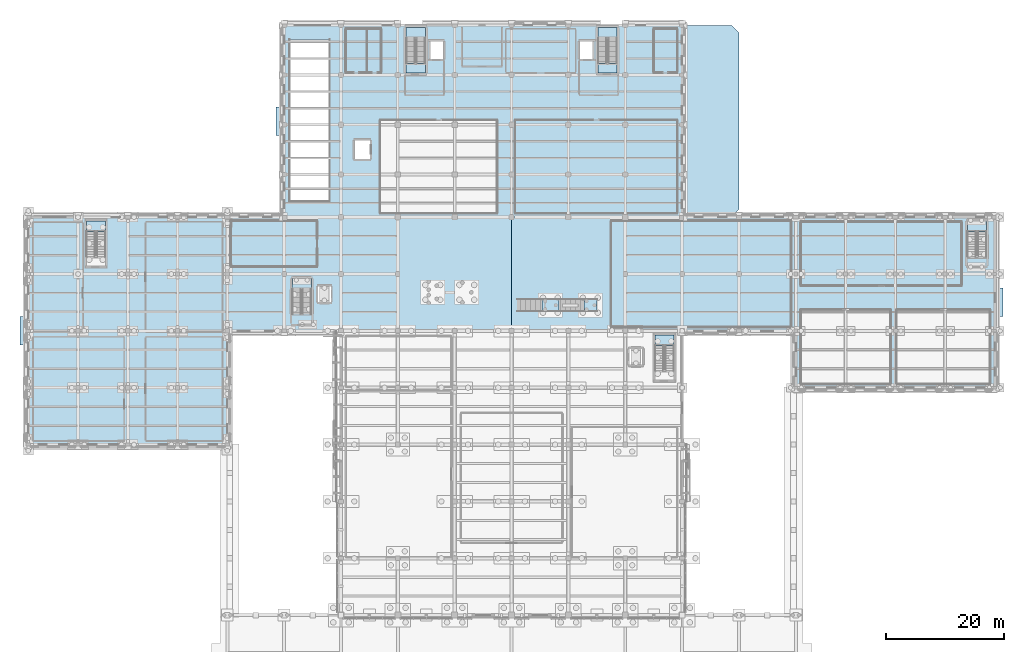
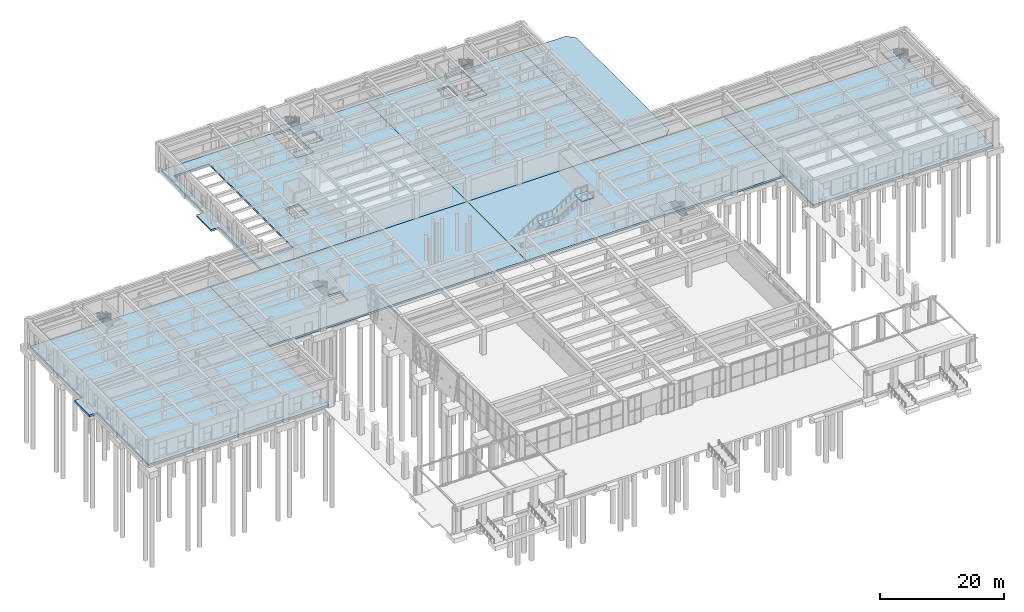
# One storey, part 27 of 51: 17 slabs, 7 elements without a shape of their own.
"""IFC4 building model written with IfcOpenShell, lengths in metres."""

from ifc_helpers import new_model, si_unit, direction, frame, origin, place, context, subcontext, project, spatial, polyline, outline, extrude, material, layer, layer_set, type_object, element, aggregate, save


model = new_model("IFC4")

# Units and contexts
model_context = context("Model", 3, precision=1e-05, world=origin(), true_north=direction((0.0, 1.0)))
body_context = subcontext(model_context, "Body", "Model", "MODEL_VIEW")
ifc_project = project(units=[si_unit("LENGTHUNIT", "METRE"), si_unit("AREAUNIT", "SQUARE_METRE"), si_unit("VOLUMEUNIT", "CUBIC_METRE"), si_unit("PLANEANGLEUNIT", "RADIAN"), si_unit("MASSUNIT", "GRAM", prefix="KILO")], contexts=[model_context])

# Site, building, storey
site_placement = place(None, origin())
site = spatial("IfcSite", under=ifc_project, at=site_placement, CompositionType="ELEMENT")
building_placement = place(site_placement, origin())
building = spatial("IfcBuilding", under=site, at=building_placement, Name="Bempovik Park Faculty of Sciences", CompositionType="ELEMENT")
storey_placement = place(building_placement, origin())
storey = spatial("IfcBuildingStorey", under=building, at=storey_placement, Name="L00", CompositionType="ELEMENT", Elevation=0.0)

# Slabs
ifc_material_1 = material(Name="Concrete C35/45", Category="concrete")
ifc_layer_1 = layer(ifc_material_1, 0.360107421875)
ifc_layer_set_1 = layer_set([ifc_layer_1], Name="Concrete C35/45")
slab_type_1 = type_object("IfcSlabType", Name="S-17 Slab 360mm", PredefinedType="BASESLAB", material=ifc_layer_set_1)
slab_1_placement = place(storey_placement, frame((0.0, 0.0, -0.360107421875)))
element("IfcSlab", 1, at=slab_1_placement, inside=storey, type_object=slab_type_1, Name="L00 Sky-Lit Atrium & Concourse Floor Slab (W)", PredefinedType="BASESLAB", context=body_context, shape_type="SweptSolid", body=[
    extrude(outline(polyline([(40.800048828125, 67.800048828125), (88.800048828125, 67.800048828125), (88.800048828125, 87.0), (40.800048828125, 87.0), (40.800048828125, 67.800048828125)]), holes=[polyline([(56.10009765625, 72.64990234375), (58.300048828125, 72.64990234375), (58.300048828125, 75.35009765625), (56.10009765625, 75.35009765625), (56.10009765625, 72.64990234375)])]), origin(), (0.0, 0.0, 1.0), 0.360107421875),
])
slab_2_placement = place(storey_placement, frame((0.0, 0.0, -0.360107421875)))
element("IfcSlab", 2, at=slab_2_placement, inside=storey, type_object=slab_type_1, Name="L00 Sky-Lit Atrium & Concourse Floor Slab (E)", PredefinedType="BASESLAB", context=body_context, shape_type="SweptSolid", body=[
    extrude(outline(polyline([(88.800048828125, 67.800048828125), (136.800048828125, 67.800048828125), (136.800048828125, 87.0), (88.800048828125, 87.0), (88.800048828125, 67.800048828125)])), origin(), (0.0, 0.0, 1.0), 0.360107421875),
])
slab_3_placement = place(storey_placement, frame((0.0, 0.0, -0.360107421875)))
element("IfcSlab", 3, at=slab_3_placement, inside=storey, type_object=slab_type_1, Name="L00 East Seminar Wing Floor Slab (M)", PredefinedType="BASESLAB", context=body_context, shape_type="SweptSolid", body=[
    extrude(outline(polyline([(136.800048828125, 58.199951171875), (170.39990234375, 58.199951171875), (170.39990234375, 70.199951171875), (171.800048828125, 70.199951171875), (171.800048828125, 75.0), (170.39990234375, 75.0), (170.39990234375, 87.0), (136.800048828125, 87.0), (136.800048828125, 58.199951171875)])), origin(), (0.0, 0.0, 1.0), 0.360107421875),
])
slab_4_placement = place(storey_placement, frame((0.0, 0.0, -0.360107421875)))
element("IfcSlab", 4, at=slab_4_placement, inside=storey, type_object=slab_type_1, Name="L00 West Laboratory Wing Floor Slab (M)", PredefinedType="BASESLAB", context=body_context, shape_type="SweptSolid", body=[
    extrude(outline(polyline([(7.199951171875, 48.60009765625), (40.800048828125, 48.60009765625), (40.800048828125, 87.0), (7.199951171875, 87.0), (7.199951171875, 70.199951171875), (5.800048828125, 70.199951171875), (5.800048828125, 65.39990234375), (7.199951171875, 65.39990234375), (7.199951171875, 48.60009765625)])), origin(), (0.0, 0.0, 1.0), 0.360107421875),
])
ifc_material_2 = material(Name="Concrete C40/50", Category="concrete")
ifc_layer_2 = layer(ifc_material_2, 0.340087890625)
ifc_layer_set_2 = layer_set([ifc_layer_2], Name="Concrete C40/50")
slab_type_2 = type_object("IfcSlabType", Name="S-20 Slab 340mm", PredefinedType="FLOOR", material=ifc_layer_set_2)
slab_5_placement = place(storey_placement, frame((0.0, 0.0, -0.340087890625)))
element("IfcSlab", 5, at=slab_5_placement, inside=storey, type_object=slab_type_2, Name="L00 East Service Courtyard Slab over B1", PredefinedType="FLOOR", context=body_context, shape_type="SweptSolid", body=[
    extrude(outline(polyline([(117.60009765625, 87.0), (125.89990234375, 87.0), (127.199951171875, 88.300048828125), (127.199951171875, 118.10009765625), (125.89990234375, 119.39990234375), (117.60009765625, 119.39990234375), (117.60009765625, 87.0)])), origin(), (0.0, 0.0, 1.0), 0.340087890625),
])
ifc_layer_3 = layer(ifc_material_1, 0.280029296875)
ifc_layer_set_3 = layer_set([ifc_layer_3], Name="Concrete C35/45")
slab_type_3 = type_object("IfcSlabType", Name="S-32 Slab 280mm", PredefinedType="FLOOR", material=ifc_layer_set_3)
slab_6_placement = place(storey_placement, frame((0.0, 0.0, -0.360107421875)))
element("IfcSlab", 6, at=slab_6_placement, inside=storey, type_object=slab_type_3, Name="L00 North Research Tower & Ramp Portal Floor Slab (W)", PredefinedType="FLOOR", context=body_context, shape_type="SweptSolid", body=[
    extrude(outline(polyline([(50.39990234375, 87.0), (88.800048828125, 87.0), (88.800048828125, 119.39990234375), (50.39990234375, 119.39990234375), (50.39990234375, 105.60009765625), (49.0, 105.60009765625), (49.0, 100.800048828125), (50.39990234375, 100.800048828125), (50.39990234375, 87.0)]), holes=[polyline([(71.0, 111.375), (74.25, 111.375), (74.25, 119.0), (71.0, 119.0), (71.0, 111.375)]), polyline([(75.10009765625, 113.699951171875), (77.300048828125, 113.699951171875), (77.300048828125, 116.699951171875), (75.10009765625, 116.699951171875), (75.10009765625, 113.699951171875)]), polyline([(62.300048828125, 96.800048828125), (64.89990234375, 96.800048828125), (64.89990234375, 100.0), (62.300048828125, 100.0), (62.300048828125, 96.800048828125)]), polyline([(51.39990234375, 89.800048828125), (58.0, 89.800048828125), (58.0, 117.0), (51.39990234375, 117.0), (51.39990234375, 89.800048828125)])]), origin(), (0.0, 0.0, 1.0), 0.360107421875),
])
slab_7_placement = place(storey_placement, frame((0.0, 0.0, -0.360107421875)))
element("IfcSlab", 7, at=slab_7_placement, inside=storey, type_object=slab_type_3, Name="L00 North Research Tower & Ramp Portal Floor Slab (E)", PredefinedType="FLOOR", context=body_context, shape_type="SweptSolid", body=[
    extrude(outline(polyline([(88.800048828125, 87.0), (117.60009765625, 87.0), (117.60009765625, 119.39990234375), (88.800048828125, 119.39990234375), (88.800048828125, 87.0)]), holes=[polyline([(103.375, 111.375), (106.625, 111.375), (106.625, 119.0), (103.375, 119.0), (103.375, 111.375)]), polyline([(100.300048828125, 113.699951171875), (102.5, 113.699951171875), (102.5, 116.699951171875), (100.300048828125, 116.699951171875), (100.300048828125, 113.699951171875)])]), origin(), (0.0, 0.0, 1.0), 0.360107421875),
])

# Stair, slab
stair_type_1 = type_object("IfcStairType", Name="ST-22 Stair W1500 H5400", PredefinedType="HALF_TURN_STAIR", material=ifc_material_1)
stair_1_placement = place(storey_placement, origin())
stair_1 = element("IfcStair", 8, at=stair_1_placement, inside=storey, type_object=stair_type_1, Name="L00 ST-1 Dog-Leg Exit Stair", PredefinedType="HALF_TURN_STAIR")
ifc_layer_4 = layer(ifc_material_1, 0.199951171875)
ifc_layer_set_4 = layer_set([ifc_layer_4], Name="Concrete C35/45")
slab_type_4 = type_object("IfcSlabType", Name="S-41 Slab 200mm", PredefinedType="LANDING", material=ifc_layer_set_4)
slab_8_placement = place(storey_placement, frame((0.0, 0.0, 2.5)))
slab_8 = element("IfcSlab", 9, at=slab_8_placement, type_object=slab_type_4, Name="ST-22 landing 1", PredefinedType="LANDING", context=body_context, shape_type="SweptSolid", body=[
    extrude(outline(polyline([(74.25, 117.21875), (74.25, 119.0), (71.0, 119.0), (71.0, 117.21875), (74.25, 117.21875)])), origin(), (0.0, 0.0, 1.0), 0.199951171875),
])
aggregate(stair_1, [slab_8])

# Slab
slab_9_placement = place(storey_placement, frame((0.0, 0.0, -0.360107421875)))
element("IfcSlab", 10, at=slab_9_placement, inside=storey, type_object=slab_type_4, Name="L00 ST-1 Floor Landing Slab", PredefinedType="LANDING", context=body_context, shape_type="SweptSolid", body=[
    extrude(outline(polyline([(74.25, 111.375), (74.25, 113.0), (71.0, 113.0), (71.0, 111.375), (74.25, 111.375)])), origin(), (0.0, 0.0, 1.0), 0.360107421875),
])

# Stair, slab
stair_2_placement = place(storey_placement, origin())
stair_2 = element("IfcStair", 11, at=stair_2_placement, inside=storey, type_object=stair_type_1, Name="L00 ST-2 Dog-Leg Exit Stair", PredefinedType="HALF_TURN_STAIR")
slab_10_placement = place(storey_placement, frame((0.0, 0.0, 2.5)))
slab_10 = element("IfcSlab", 12, at=slab_10_placement, type_object=slab_type_4, Name="ST-22 landing 1", PredefinedType="LANDING", context=body_context, shape_type="SweptSolid", body=[
    extrude(outline(polyline([(106.625, 117.21875), (106.625, 119.0), (103.375, 119.0), (103.375, 117.21875), (106.625, 117.21875)])), origin(), (0.0, 0.0, 1.0), 0.199951171875),
])
aggregate(stair_2, [slab_10])

# Slab
slab_11_placement = place(storey_placement, frame((0.0, 0.0, -0.360107421875)))
element("IfcSlab", 13, at=slab_11_placement, inside=storey, type_object=slab_type_4, Name="L00 ST-2 Floor Landing Slab", PredefinedType="LANDING", context=body_context, shape_type="SweptSolid", body=[
    extrude(outline(polyline([(106.625, 111.375), (106.625, 113.0), (103.375, 113.0), (103.375, 111.375), (106.625, 111.375)])), origin(), (0.0, 0.0, 1.0), 0.360107421875),
])

# Stair, slab
stair_3_placement = place(storey_placement, origin())
stair_3 = element("IfcStair", 14, at=stair_3_placement, inside=storey, type_object=stair_type_1, Name="L00 ST-3 Dog-Leg Exit Stair", PredefinedType="HALF_TURN_STAIR")
slab_12_placement = place(storey_placement, frame((0.0, 0.0, 2.5)))
slab_12 = element("IfcSlab", 15, at=slab_12_placement, type_object=slab_type_4, Name="ST-22 landing 1", PredefinedType="LANDING", context=body_context, shape_type="SweptSolid", body=[
    extrude(outline(polyline([(20.25, 84.59375), (20.25, 86.375), (17.0, 86.375), (17.0, 84.59375), (20.25, 84.59375)])), origin(), (0.0, 0.0, 1.0), 0.199951171875),
])
aggregate(stair_3, [slab_12])

stair_4_placement = place(storey_placement, origin())
stair_4 = element("IfcStair", 16, at=stair_4_placement, inside=storey, type_object=stair_type_1, Name="L00 ST-4 Dog-Leg Exit Stair", PredefinedType="HALF_TURN_STAIR")
slab_13_placement = place(storey_placement, frame((0.0, 0.0, 2.5)))
slab_13 = element("IfcSlab", 17, at=slab_13_placement, type_object=slab_type_4, Name="ST-22 landing 1", PredefinedType="LANDING", context=body_context, shape_type="SweptSolid", body=[
    extrude(outline(polyline([(55.0, 74.84375), (55.0, 76.625), (51.75, 76.625), (51.75, 74.84375), (55.0, 74.84375)])), origin(), (0.0, 0.0, 1.0), 0.199951171875),
])
aggregate(stair_4, [slab_13])

stair_5_placement = place(storey_placement, origin())
stair_5 = element("IfcStair", 18, at=stair_5_placement, inside=storey, type_object=stair_type_1, Name="L00 ST-5 Dog-Leg Exit Stair", PredefinedType="HALF_TURN_STAIR")
slab_14_placement = place(storey_placement, frame((0.0, 0.0, 2.5)))
slab_14 = element("IfcSlab", 19, at=slab_14_placement, type_object=slab_type_4, Name="ST-22 landing 1", PredefinedType="LANDING", context=body_context, shape_type="SweptSolid", body=[
    extrude(outline(polyline([(116.25, 65.34375), (116.25, 67.125), (113.0, 67.125), (113.0, 65.34375), (116.25, 65.34375)])), origin(), (0.0, 0.0, 1.0), 0.199951171875),
])
aggregate(stair_5, [slab_14])

stair_6_placement = place(storey_placement, origin())
stair_6 = element("IfcStair", 20, at=stair_6_placement, inside=storey, type_object=stair_type_1, Name="L00 ST-6 Dog-Leg Exit Stair", PredefinedType="HALF_TURN_STAIR")
slab_15_placement = place(storey_placement, frame((0.0, 0.0, 2.5)))
slab_15 = element("IfcSlab", 21, at=slab_15_placement, type_object=slab_type_4, Name="ST-22 landing 1", PredefinedType="LANDING", context=body_context, shape_type="SweptSolid", body=[
    extrude(outline(polyline([(169.0, 84.59375), (169.0, 86.375), (165.75, 86.375), (165.75, 84.59375), (169.0, 84.59375)])), origin(), (0.0, 0.0, 1.0), 0.199951171875),
])
aggregate(stair_6, [slab_15])

# Stair, slabs
stair_type_2 = type_object("IfcStairType", Name="ST-24 Stair W2100 H5400", PredefinedType="STRAIGHT_RUN_STAIR", material=ifc_material_1)
stair_7_placement = place(storey_placement, origin())
stair_7 = element("IfcStair", 22, at=stair_7_placement, inside=storey, type_object=stair_type_2, Name="Atrium Monumental Straight Stair (L00-L01)", PredefinedType="STRAIGHT_RUN_STAIR")
slab_16_placement = place(storey_placement, frame((0.0, 0.0, 2.5)))
slab_16 = element("IfcSlab", 23, at=slab_16_placement, type_object=slab_type_4, Name="Atrium Monumental Stair Mid Landing", PredefinedType="LANDING", context=body_context, shape_type="SweptSolid", body=[
    extrude(outline(polyline([(93.96875, 71.0625), (96.78125, 71.0625), (96.78125, 73.1875), (93.96875, 73.1875), (93.96875, 71.0625)])), origin(), (0.0, 0.0, 1.0), 0.199951171875),
])
slab_17_placement = place(storey_placement, frame((0.0, 0.0, 5.199951171875)))
slab_17 = element("IfcSlab", 24, at=slab_17_placement, type_object=slab_type_4, Name="Atrium Monumental Stair Top Arrival Landing", PredefinedType="LANDING", context=body_context, shape_type="SweptSolid", body=[
    extrude(outline(polyline([(101.0, 71.0625), (103.25, 71.0625), (103.25, 73.1875), (101.0, 73.1875), (101.0, 71.0625)])), origin(), (0.0, 0.0, 1.0), 0.199951171875),
])
aggregate(stair_7, [slab_16, slab_17])

save(model, "model.ifc")
